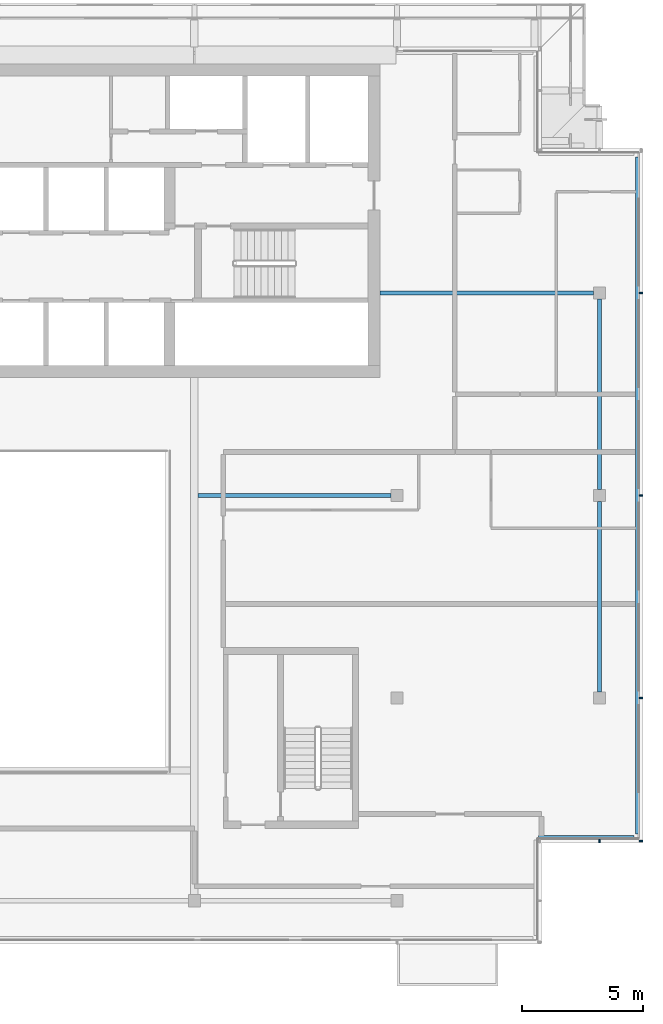
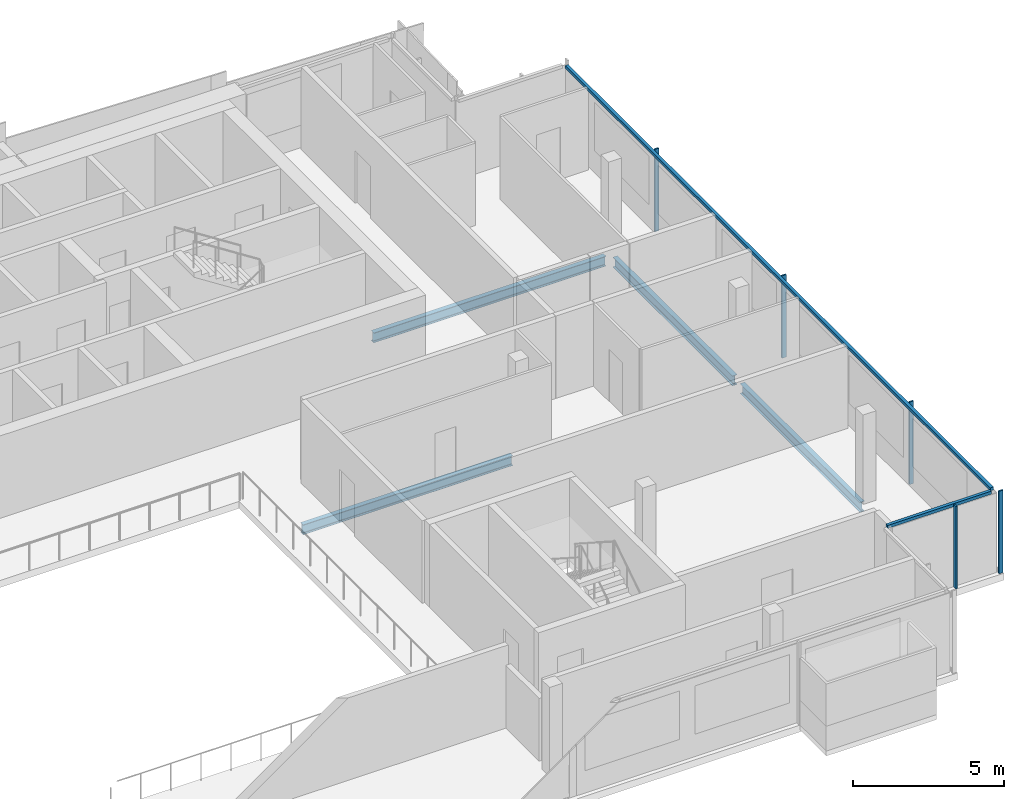
# One storey, part 6 of 22: 7 members, 4 beams, 2 elements without a shape of their own.
"""IFC4 building model written with IfcOpenShell, lengths in metres."""

from ifc_helpers import new_model, si_unit, direction, frame, origin, origin_2d, place, context, subcontext, project, spatial, rectangle, i_section, extrude, material, material_profile, profile_set, type_object, element, aggregate, save


model = new_model("IFC4")

# Units and contexts
model_context = context("Model", 3, precision=1e-05, world=origin(), true_north=direction((0.0, 1.0)))
body_context = subcontext(model_context, "Body", "Model", "MODEL_VIEW")
ifc_project = project(units=[si_unit("LENGTHUNIT", "METRE"), si_unit("AREAUNIT", "SQUARE_METRE"), si_unit("VOLUMEUNIT", "CUBIC_METRE"), si_unit("PLANEANGLEUNIT", "RADIAN"), si_unit("MASSUNIT", "GRAM", prefix="KILO")], contexts=[model_context])

# Site, building, storey
site_placement = place(None, origin())
site = spatial("IfcSite", under=ifc_project, at=site_placement, CompositionType="ELEMENT")
building_placement = place(site_placement, origin())
building = spatial("IfcBuilding", under=site, at=building_placement, Name="Saffron Gate Tower", CompositionType="ELEMENT")
storey_placement = place(building_placement, frame((0.0, 0.0, 295.949951171875)))
storey = spatial("IfcBuildingStorey", under=building, at=storey_placement, Name="L72", CompositionType="ELEMENT", Elevation=295.949951171875)

# Beams
ifc_material_1 = material(Name="Structural steel S355", Category="steel")
ifc_material_profile_1 = material_profile(ifc_material_1, i_section(OverallWidth=0.179931640625, OverallDepth=0.39990234375, WebThickness=0.008544921875, FlangeThickness=0.013427734375, FilletRadius=0.02099609375, at=origin_2d()))
ifc_profile_set_1 = profile_set([ifc_material_profile_1], Name="Structural steel S355")
beam_type_1 = type_object("IfcBeamType", Name="B4 IPE 400", PredefinedType="BEAM", material=ifc_profile_set_1)
beam_1_placement = place(storey_placement, frame((108.35009765625, 57.0, -0.47998046875), z_axis=(-1.0, 0.0, 0.0), x_axis=(0.0, -1.0, 0.0)))
element("IfcBeam", 1, at=beam_1_placement, inside=storey, type_object=beam_type_1, Name="B4 CORE TIE BEAM", PredefinedType="BEAM", context=body_context, shape_type="SweptSolid", body=[
    extrude(i_section(OverallWidth=0.179931640625, OverallDepth=0.39990234375, WebThickness=0.008544921875, FlangeThickness=0.013427734375, FilletRadius=0.02099609375, at=origin_2d()), origin(), (0.0, 0.0, 1.0), 8.0),
])
beam_2_placement = place(storey_placement, frame((116.75, 65.39990234375, -0.47998046875), z_axis=(-1.0, 0.0, 0.0), x_axis=(0.0, -1.0, 0.0)))
element("IfcBeam", 2, at=beam_2_placement, inside=storey, type_object=beam_type_1, Name="B4 CORE TIE BEAM", PredefinedType="BEAM", context=body_context, shape_type="SweptSolid", body=[
    extrude(i_section(OverallWidth=0.179931640625, OverallDepth=0.39990234375, WebThickness=0.008544921875, FlangeThickness=0.013427734375, FilletRadius=0.02099609375, at=origin_2d()), origin(), (0.0, 0.0, 1.0), 8.85009765625),
])
ifc_material_profile_2 = material_profile(ifc_material_1, i_section(OverallWidth=0.179931640625, OverallDepth=0.39990234375, WebThickness=0.008544921875, FlangeThickness=0.013427734375, FilletRadius=0.02099609375, at=origin_2d()))
ifc_profile_set_2 = profile_set([ifc_material_profile_2], Name="Structural steel S355")
beam_type_2 = type_object("IfcBeamType", Name="B5 IPE 400", PredefinedType="SPANDREL", material=ifc_profile_set_2)
for number, where, z_axis, x_axis, name in (
    (3, (117.0, 48.85009765625, -0.47998046875), (0.0, 1.0, 0.0), (-1.0, 0.0, 0.0), "B5 SPANDREL BEAM"),
    (4, (117.0, 57.25, -0.47998046875), (0.0, 1.0, 0.0), (-1.0, 0.0, 0.0), "B5 SPANDREL BEAM"),
):
    element("IfcBeam", number, at=place(storey_placement, frame(where, z_axis=z_axis, x_axis=x_axis)), inside=storey, type_object=beam_type_2, Name=name, PredefinedType="SPANDREL", context=body_context, shape_type="SweptSolid", body=[
        extrude(i_section(OverallWidth=0.179931640625, OverallDepth=0.39990234375, WebThickness=0.008544921875, FlangeThickness=0.013427734375, FilletRadius=0.02099609375, at=origin_2d()), origin(), (0.0, 0.0, 1.0), 7.89990234375),
    ])

# Curtain wall, members
ifc_material_2 = material(Name="Aluminium, bronze anodised", Category="aluminium")
curtain_wall_type_1 = type_object("IfcCurtainWallType", Name="CWS2 curtain wall side facades", PredefinedType="NOTDEFINED", material=ifc_material_2)
curtain_wall_1_placement = place(storey_placement, origin())
curtain_wall_1 = element("IfcCurtainWall", 5, at=curtain_wall_1_placement, inside=storey, type_object=curtain_wall_type_1, Name="CWS2 run 4", PredefinedType="NOTDEFINED")
ifc_material_profile_3 = material_profile(ifc_material_2, rectangle(XDim=0.1201171875, YDim=0.1201171875, at=origin_2d()))
ifc_profile_set_3 = profile_set([ifc_material_profile_3], Name="Aluminium, bronze anodised")
member_type_1 = type_object("IfcMemberType", Name="CWS2 head transom", PredefinedType="USERDEFINED", material=ifc_profile_set_3)
member_1_placement = place(storey_placement, frame((118.552001953125, 42.968017578125, 3.260009765625), z_axis=(0.0, 1.0, 0.0), x_axis=(-1.0, 0.0, 0.0)))
member_1 = element("IfcMember", 6, at=member_1_placement, type_object=member_type_1, Name="CWS2 head transom", ObjectType="TRANSOM", PredefinedType="USERDEFINED", context=body_context, shape_type="SweptSolid", body=[
    extrude(rectangle(XDim=0.1201171875, YDim=0.1201171875, at=origin_2d()), origin(), (0.0, 0.0, 1.0), 28.06396484375),
])
ifc_material_profile_4 = material_profile(ifc_material_2, rectangle(XDim=0.159912109375, YDim=0.06005859375, at=origin_2d()))
ifc_profile_set_4 = profile_set([ifc_material_profile_4], Name="Aluminium, bronze anodised")
member_type_2 = type_object("IfcMemberType", Name="CWS2 mullion 60x160", PredefinedType="MULLION", material=ifc_profile_set_4)
member_2_placement = place(storey_placement, frame((118.719970703125, 42.679931640625, 0.0), z_axis=(0.0, 0.0, 1.0), x_axis=(-1.0, 0.0, 0.0)))
member_2 = element("IfcMember", 7, at=member_2_placement, type_object=member_type_2, Name="CWS2 mullion 1", PredefinedType="MULLION", context=body_context, shape_type="SweptSolid", body=[
    extrude(rectangle(XDim=0.159912109375, YDim=0.06005859375, at=origin_2d()), origin(), (0.0, 0.0, 1.0), 3.320068359375),
])
member_3_placement = place(storey_placement, frame((118.719970703125, 48.60009765625, 0.0), z_axis=(0.0, 0.0, 1.0), x_axis=(-1.0, 0.0, 0.0)))
member_3 = element("IfcMember", 8, at=member_3_placement, type_object=member_type_2, Name="CWS2 mullion 2", PredefinedType="MULLION", context=body_context, shape_type="SweptSolid", body=[
    extrude(rectangle(XDim=0.159912109375, YDim=0.06005859375, at=origin_2d()), origin(), (0.0, 0.0, 1.0), 3.320068359375),
])
member_4_placement = place(storey_placement, frame((118.719970703125, 57.0, 0.0), z_axis=(0.0, 0.0, 1.0), x_axis=(-1.0, 0.0, 0.0)))
member_4 = element("IfcMember", 9, at=member_4_placement, type_object=member_type_2, Name="CWS2 mullion 3", PredefinedType="MULLION", context=body_context, shape_type="SweptSolid", body=[
    extrude(rectangle(XDim=0.159912109375, YDim=0.06005859375, at=origin_2d()), origin(), (0.0, 0.0, 1.0), 3.320068359375),
])
member_5_placement = place(storey_placement, frame((118.719970703125, 65.39990234375, 0.0), z_axis=(0.0, 0.0, 1.0), x_axis=(-1.0, 0.0, 0.0)))
member_5 = element("IfcMember", 10, at=member_5_placement, type_object=member_type_2, Name="CWS2 mullion 4", PredefinedType="MULLION", context=body_context, shape_type="SweptSolid", body=[
    extrude(rectangle(XDim=0.159912109375, YDim=0.06005859375, at=origin_2d()), origin(), (0.0, 0.0, 1.0), 3.320068359375),
])
aggregate(curtain_wall_1, [member_2, member_3, member_4, member_5, member_1])

curtain_wall_type_2 = type_object("IfcCurtainWallType", Name="CWS4 curtain wall corner returns", PredefinedType="NOTDEFINED", material=ifc_material_2)
curtain_wall_2_placement = place(storey_placement, origin())
curtain_wall_2 = element("IfcCurtainWall", 11, at=curtain_wall_2_placement, inside=storey, type_object=curtain_wall_type_2, Name="CWS4 run 3", PredefinedType="NOTDEFINED")
ifc_material_profile_5 = material_profile(ifc_material_2, rectangle(XDim=0.1201171875, YDim=0.1201171875, at=origin_2d()))
ifc_profile_set_5 = profile_set([ifc_material_profile_5], Name="Aluminium, bronze anodised")
member_type_3 = type_object("IfcMemberType", Name="CWS4 head transom", PredefinedType="USERDEFINED", material=ifc_profile_set_5)
member_6_placement = place(storey_placement, frame((114.471923828125, 42.847900390625, 3.260009765625), z_axis=(1.0, 0.0, 0.0), x_axis=(0.0, 1.0, 0.0)))
member_6 = element("IfcMember", 12, at=member_6_placement, type_object=member_type_3, Name="CWS4 head transom", ObjectType="TRANSOM", PredefinedType="USERDEFINED", context=body_context, shape_type="SweptSolid", body=[
    extrude(rectangle(XDim=0.1201171875, YDim=0.1201171875, at=origin_2d()), origin(), (0.0, 0.0, 1.0), 3.9599609375),
])
ifc_material_profile_6 = material_profile(ifc_material_2, rectangle(XDim=0.159912109375, YDim=0.06005859375, at=origin_2d()))
ifc_profile_set_6 = profile_set([ifc_material_profile_6], Name="Aluminium, bronze anodised")
member_type_4 = type_object("IfcMemberType", Name="CWS4 mullion 60x160", PredefinedType="MULLION", material=ifc_profile_set_6)
member_7_placement = place(storey_placement, frame((117.0, 42.679931640625, 0.0), z_axis=(0.0, 0.0, 1.0), x_axis=(0.0, 1.0, 0.0)))
member_7 = element("IfcMember", 13, at=member_7_placement, type_object=member_type_4, Name="CWS4 mullion 2", PredefinedType="MULLION", context=body_context, shape_type="SweptSolid", body=[
    extrude(rectangle(XDim=0.159912109375, YDim=0.06005859375, at=origin_2d()), origin(), (0.0, 0.0, 1.0), 3.320068359375),
])
aggregate(curtain_wall_2, [member_7, member_6])

save(model, "model.ifc")
